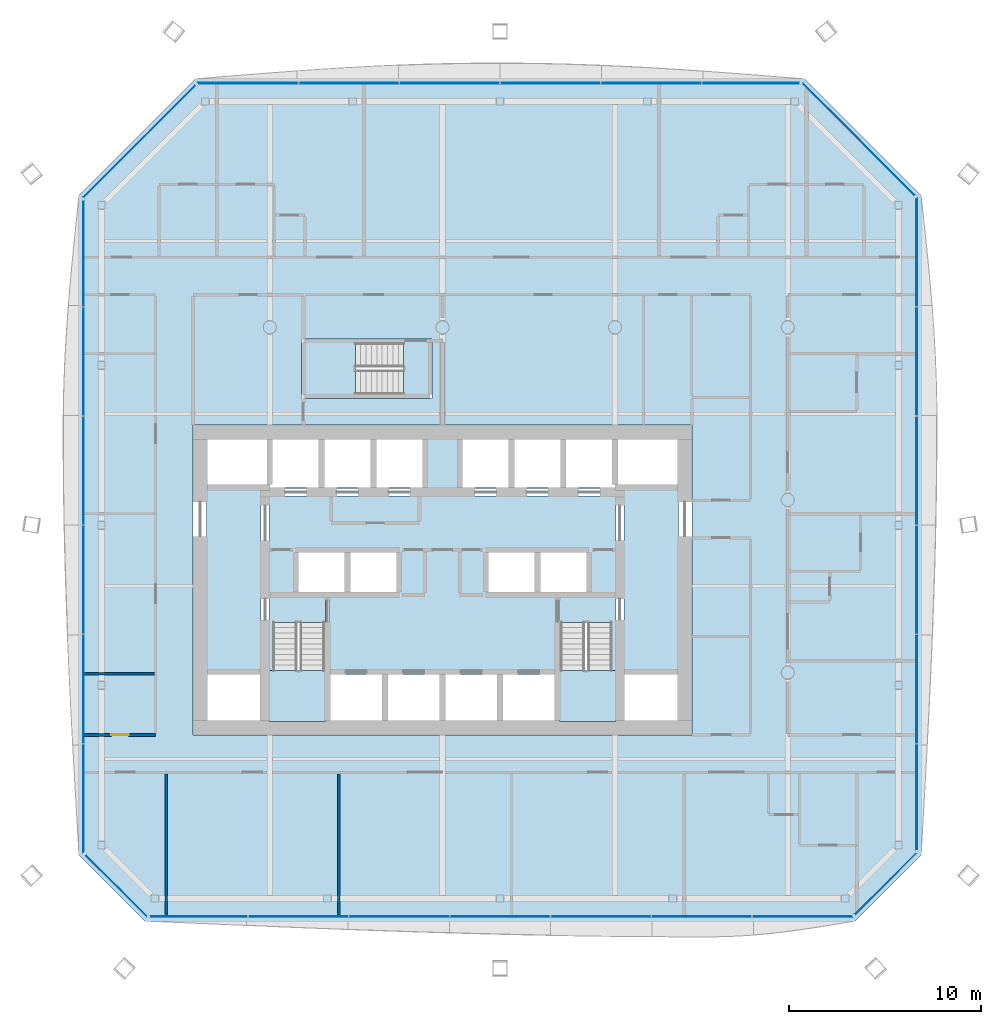
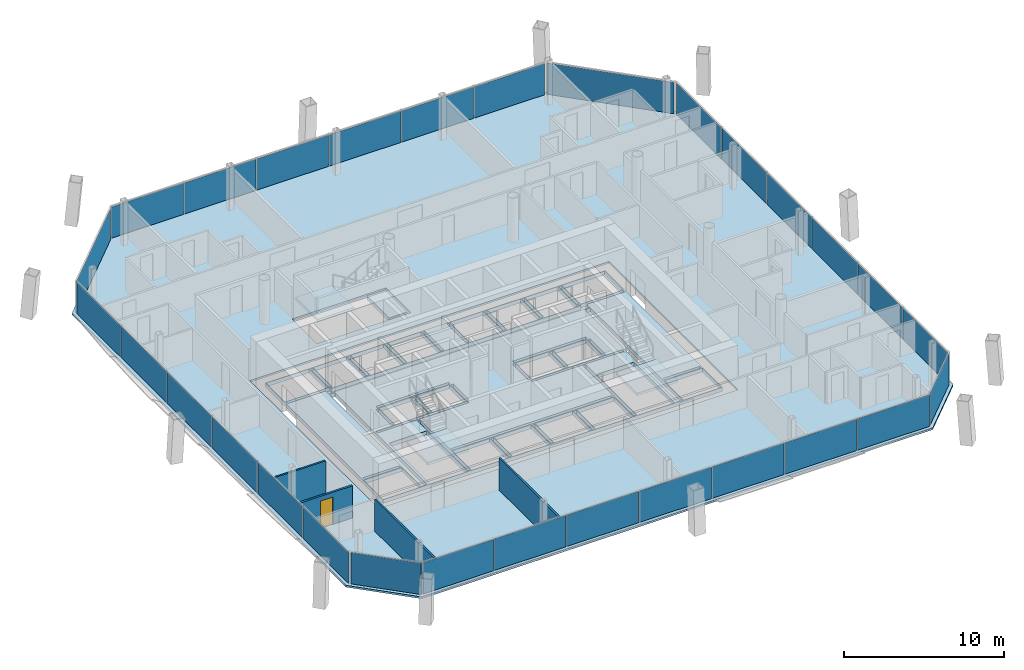
# One storey, part 10 of 17: 29 plates, 6 slabs, 4 walls, 1 door, 1 opening, 11 elements without a shape of their own.
"""IFC4 building model written with IfcOpenShell, lengths in metres."""

from ifc_helpers import new_model, si_unit, direction, frame, frame_2d, origin, origin_2d, place, context, subcontext, project, spatial, polyline, rectangle, outline, extrude, material, layer, layer_set, type_object, element, fill, aggregate, save


model = new_model("IFC4")

# Units and contexts
model_context = context("Model", 3, precision=1e-05, world=origin(), true_north=direction((0.0, 1.0)))
body_context = subcontext(model_context, "Body", "Model", "MODEL_VIEW")
ifc_project = project(units=[si_unit("LENGTHUNIT", "METRE"), si_unit("AREAUNIT", "SQUARE_METRE"), si_unit("VOLUMEUNIT", "CUBIC_METRE"), si_unit("PLANEANGLEUNIT", "RADIAN"), si_unit("MASSUNIT", "GRAM", prefix="KILO")], contexts=[model_context])

# Site, building, storey
site_placement = place(None, origin())
site = spatial("IfcSite", under=ifc_project, at=site_placement, CompositionType="ELEMENT")
building_placement = place(site_placement, origin())
building = spatial("IfcBuilding", under=site, at=building_placement, Name="Tskaro Facet Tower", CompositionType="ELEMENT")
storey_placement = place(building_placement, frame((0.0, 0.0, 158.89990234375)))
storey = spatial("IfcBuildingStorey", under=building, at=storey_placement, Name="L39", CompositionType="ELEMENT", Elevation=158.89990234375)

# Slab
ifc_material_1 = material(Name="Concrete C30/37", Category="concrete")
ifc_layer_1 = layer(ifc_material_1, 0.139892578125, Name="Concrete C30/37")
ifc_layer_set_1 = layer_set([ifc_layer_1], Name="Concrete C30/37")
slab_type_1 = type_object("IfcSlabType", Name="Composite deck floor slab", PredefinedType="FLOOR", material=ifc_layer_set_1)
slab_1_placement = place(storey_placement, frame((0.0, 0.0, -0.139892578125)))
element("IfcSlab", 1, at=slab_1_placement, inside=storey, type_object=slab_type_1, Name="Floor slab FS3 L39", PredefinedType="FLOOR", context=body_context, shape_type="SweptSolid", body=[
    extrude(outline(polyline([(-15.49609375, -21.97412109375), (21.49609375, -21.97412109375), (24.97412109375, -18.49609375), (24.97412109375, 15.864990234375), (18.864990234375, 21.97412109375), (-12.864990234375, 21.97412109375), (-18.97412109375, 15.864990234375), (-18.97412109375, -18.49609375), (-15.49609375, -21.97412109375)]), holes=[polyline([(-13.0, -12.25), (13.0, -12.25), (13.0, 3.89990234375), (-13.0, 3.89990234375), (-13.0, -12.25)]), polyline([(-7.35009765625, 5.300048828125), (-0.550048828125, 5.300048828125), (-0.550048828125, 8.39990234375), (-7.35009765625, 8.39990234375), (-7.35009765625, 5.300048828125)])]), origin(), (0.0, 0.0, 1.0), 0.139892578125),
])

# Curtain wall, plates
ifc_material_2 = material(Name="Bronze anodised aluminium 6063-T6", Category="aluminium")
curtain_wall_type = type_object("IfcCurtainWallType", Name="Bronze hotel curtain wall (FW2)", PredefinedType="NOTDEFINED", material=ifc_material_2)
curtain_wall_1_placement = place(storey_placement, origin())
curtain_wall_1 = element("IfcCurtainWall", 2, at=curtain_wall_1_placement, inside=storey, type_object=curtain_wall_type, Name="FW2 south facet L39", PredefinedType="NOTDEFINED")
ifc_material_3 = material(Name="Bronze solar control glass", Category="glass")
ifc_layer_2 = layer(ifc_material_3, 0.030029296875, Name="Bronze solar control glass")
ifc_layer_set_2 = layer_set([ifc_layer_2], Name="Bronze solar control glass")
plate_type = type_object("IfcPlateType", Name="FW2 bronze-tinted unit glazing 30", PredefinedType="CURTAIN_PANEL", material=ifc_layer_set_2)
plate_1_placement = place(storey_placement, frame((-12.70458984375, -21.72412109375, 0.0), z_axis=(0.0, 0.0, 1.0), x_axis=(1.0, 0.0, 0.0)))
plate_1 = element("IfcPlate", 3, at=plate_1_placement, type_object=plate_type, Name="FW2 south glazing 1.1", PredefinedType="CURTAIN_PANEL", context=body_context, shape_type="SweptSolid", body=[
    extrude(rectangle(XDim=5.074951171875, YDim=0.030029296875, at=origin_2d()), origin(), (0.0, 0.0, 1.0), 2.389892578125),
])
plate_2_placement = place(storey_placement, frame((-7.509765625, -21.72412109375, 0.0), z_axis=(0.0, 0.0, 1.0), x_axis=(1.0, 0.0, 0.0)))
plate_2 = element("IfcPlate", 4, at=plate_2_placement, type_object=plate_type, Name="FW2 south glazing 2.1", PredefinedType="CURTAIN_PANEL", context=body_context, shape_type="SweptSolid", body=[
    extrude(rectangle(XDim=5.19482421875, YDim=0.030029296875, at=origin_2d()), origin(), (0.0, 0.0, 1.0), 2.389892578125),
])
plate_3_placement = place(storey_placement, frame((-2.2548828125, -21.72412109375, 0.0), z_axis=(0.0, 0.0, 1.0), x_axis=(1.0, 0.0, 0.0)))
plate_3 = element("IfcPlate", 5, at=plate_3_placement, type_object=plate_type, Name="FW2 south glazing 3.1", PredefinedType="CURTAIN_PANEL", context=body_context, shape_type="SweptSolid", body=[
    extrude(rectangle(XDim=5.19482421875, YDim=0.030029296875, at=origin_2d()), origin(), (0.0, 0.0, 1.0), 2.389892578125),
])
plate_4_placement = place(storey_placement, frame((3.0, -21.72412109375, 0.0), z_axis=(0.0, 0.0, 1.0), x_axis=(1.0, 0.0, 0.0)))
plate_4 = element("IfcPlate", 6, at=plate_4_placement, type_object=plate_type, Name="FW2 south glazing 4.1", PredefinedType="CURTAIN_PANEL", context=body_context, shape_type="SweptSolid", body=[
    extrude(rectangle(XDim=5.19482421875, YDim=0.030029296875, at=origin_2d()), origin(), (0.0, 0.0, 1.0), 2.389892578125),
])
plate_5_placement = place(storey_placement, frame((8.2548828125, -21.72412109375, 0.0), z_axis=(0.0, 0.0, 1.0), x_axis=(1.0, 0.0, 0.0)))
plate_5 = element("IfcPlate", 7, at=plate_5_placement, type_object=plate_type, Name="FW2 south glazing 5.1", PredefinedType="CURTAIN_PANEL", context=body_context, shape_type="SweptSolid", body=[
    extrude(rectangle(XDim=5.19482421875, YDim=0.030029296875, at=origin_2d()), origin(), (0.0, 0.0, 1.0), 2.389892578125),
])
plate_6_placement = place(storey_placement, frame((13.509765625, -21.72412109375, 0.0), z_axis=(0.0, 0.0, 1.0), x_axis=(1.0, 0.0, 0.0)))
plate_6 = element("IfcPlate", 8, at=plate_6_placement, type_object=plate_type, Name="FW2 south glazing 6.1", PredefinedType="CURTAIN_PANEL", context=body_context, shape_type="SweptSolid", body=[
    extrude(rectangle(XDim=5.19482421875, YDim=0.030029296875, at=origin_2d()), origin(), (0.0, 0.0, 1.0), 2.389892578125),
])
plate_7_placement = place(storey_placement, frame((18.779541015625, -21.72412109375, 0.0), z_axis=(0.0, 0.0, 1.0), x_axis=(1.0, 0.0, 0.0)))
plate_7 = element("IfcPlate", 9, at=plate_7_placement, type_object=plate_type, Name="FW2 south glazing 7.1", PredefinedType="CURTAIN_PANEL", context=body_context, shape_type="SweptSolid", body=[
    extrude(rectangle(XDim=5.224853515625, YDim=0.030029296875, at=origin_2d()), origin(), (0.0, 0.0, 1.0), 2.389892578125),
])
aggregate(curtain_wall_1, [plate_1, plate_2, plate_3, plate_4, plate_5, plate_6, plate_7])

# Curtain wall, plate
curtain_wall_2_placement = place(storey_placement, origin())
curtain_wall_2 = element("IfcCurtainWall", 10, at=curtain_wall_2_placement, inside=storey, type_object=curtain_wall_type, Name="FW2 south-east facet L39", PredefinedType="NOTDEFINED")
plate_8_placement = place(storey_placement, frame((23.111083984375, -20.0048828125, 0.0), z_axis=(0.0, 0.0, 1.0), x_axis=(0.707106781187, 0.707106781187, 0.0)))
plate_8 = element("IfcPlate", 11, at=plate_8_placement, type_object=plate_type, Name="FW2 south-east glazing 1.1", PredefinedType="CURTAIN_PANEL", context=body_context, shape_type="SweptSolid", body=[
    extrude(rectangle(XDim=4.562255859375, YDim=0.030029296875, at=origin_2d()), origin(), (0.0, 0.0, 1.0), 2.389892578125),
])
aggregate(curtain_wall_2, [plate_8])

# Curtain wall, plates
curtain_wall_3_placement = place(storey_placement, origin())
curtain_wall_3 = element("IfcCurtainWall", 12, at=curtain_wall_3_placement, inside=storey, type_object=curtain_wall_type, Name="FW2 east facet L39", PredefinedType="NOTDEFINED")
plate_9_placement = place(storey_placement, frame((24.72412109375, -15.48583984375, 0.0), z_axis=(0.0, 0.0, 1.0), x_axis=(0.0, 1.0, 0.0)))
plate_9 = element("IfcPlate", 13, at=plate_9_placement, type_object=plate_type, Name="FW2 east glazing 1.1", PredefinedType="CURTAIN_PANEL", context=body_context, shape_type="SweptSolid", body=[
    extrude(rectangle(XDim=5.51220703125, YDim=0.030029296875, at=origin_2d()), origin(), (0.0, 0.0, 1.0), 2.389892578125),
])
plate_10_placement = place(storey_placement, frame((24.72412109375, -9.853759765625, 0.0), z_axis=(0.0, 0.0, 1.0), x_axis=(0.0, 1.0, 0.0)))
plate_10 = element("IfcPlate", 14, at=plate_10_placement, type_object=plate_type, Name="FW2 east glazing 2.1", PredefinedType="CURTAIN_PANEL", context=body_context, shape_type="SweptSolid", body=[
    extrude(rectangle(XDim=5.632080078125, YDim=0.030029296875, at=origin_2d()), origin(), (0.0, 0.0, 1.0), 2.389892578125),
])
plate_11_placement = place(storey_placement, frame((24.72412109375, -4.16162109375, 0.0), z_axis=(0.0, 0.0, 1.0), x_axis=(0.0, 1.0, 0.0)))
plate_11 = element("IfcPlate", 15, at=plate_11_placement, type_object=plate_type, Name="FW2 east glazing 3.1", PredefinedType="CURTAIN_PANEL", context=body_context, shape_type="SweptSolid", body=[
    extrude(rectangle(XDim=5.632080078125, YDim=0.030029296875, at=origin_2d()), origin(), (0.0, 0.0, 1.0), 2.389892578125),
])
plate_12_placement = place(storey_placement, frame((24.72412109375, 1.530517578125, 0.0), z_axis=(0.0, 0.0, 1.0), x_axis=(0.0, 1.0, 0.0)))
plate_12 = element("IfcPlate", 16, at=plate_12_placement, type_object=plate_type, Name="FW2 east glazing 4.1", PredefinedType="CURTAIN_PANEL", context=body_context, shape_type="SweptSolid", body=[
    extrude(rectangle(XDim=5.632080078125, YDim=0.030029296875, at=origin_2d()), origin(), (0.0, 0.0, 1.0), 2.389892578125),
])
plate_13_placement = place(storey_placement, frame((24.72412109375, 7.22265625, 0.0), z_axis=(0.0, 0.0, 1.0), x_axis=(0.0, 1.0, 0.0)))
plate_13 = element("IfcPlate", 17, at=plate_13_placement, type_object=plate_type, Name="FW2 east glazing 5.1", PredefinedType="CURTAIN_PANEL", context=body_context, shape_type="SweptSolid", body=[
    extrude(rectangle(XDim=5.632080078125, YDim=0.030029296875, at=origin_2d()), origin(), (0.0, 0.0, 1.0), 2.389892578125),
])
plate_14_placement = place(storey_placement, frame((24.72412109375, 12.929931640625, 0.0), z_axis=(0.0, 0.0, 1.0), x_axis=(0.0, 1.0, 0.0)))
plate_14 = element("IfcPlate", 18, at=plate_14_placement, type_object=plate_type, Name="FW2 east glazing 6.1", PredefinedType="CURTAIN_PANEL", context=body_context, shape_type="SweptSolid", body=[
    extrude(rectangle(XDim=5.662109375, YDim=0.030029296875, at=origin_2d()), origin(), (0.0, 0.0, 1.0), 2.389892578125),
])
aggregate(curtain_wall_3, [plate_9, plate_10, plate_11, plate_12, plate_13, plate_14])

# Curtain wall, plate
curtain_wall_4_placement = place(storey_placement, origin())
curtain_wall_4 = element("IfcCurtainWall", 19, at=curtain_wall_4_placement, inside=storey, type_object=curtain_wall_type, Name="FW2 north-east facet L39", PredefinedType="NOTDEFINED")
plate_15_placement = place(storey_placement, frame((21.689453125, 18.795654296875, 0.0), z_axis=(0.0, 0.0, 1.0), x_axis=(-0.707106781187, 0.707106781187, 0.0)))
plate_15 = element("IfcPlate", 20, at=plate_15_placement, type_object=plate_type, Name="FW2 north-east glazing 1.1", PredefinedType="CURTAIN_PANEL", context=body_context, shape_type="SweptSolid", body=[
    extrude(rectangle(XDim=8.282958984375, YDim=0.030029296875, at=origin_2d()), origin(), (0.0, 0.0, 1.0), 2.389892578125),
])
aggregate(curtain_wall_4, [plate_15])

# Curtain wall, plates
curtain_wall_5_placement = place(storey_placement, origin())
curtain_wall_5 = element("IfcCurtainWall", 21, at=curtain_wall_5_placement, inside=storey, type_object=curtain_wall_type, Name="FW2 north facet L39", PredefinedType="NOTDEFINED")
plate_16_placement = place(storey_placement, frame((16.07421875, 21.72412109375, 0.0), z_axis=(0.0, 0.0, 1.0), x_axis=(-1.0, 0.0, 0.0)))
plate_16 = element("IfcPlate", 22, at=plate_16_placement, type_object=plate_type, Name="FW2 north glazing 1.1", PredefinedType="CURTAIN_PANEL", context=body_context, shape_type="SweptSolid", body=[
    extrude(rectangle(XDim=5.07373046875, YDim=0.030029296875, at=origin_2d()), origin(), (0.0, 0.0, 1.0), 2.389892578125),
])
plate_17_placement = place(storey_placement, frame((10.880615234375, 21.72412109375, 0.0), z_axis=(0.0, 0.0, 1.0), x_axis=(-1.0, 0.0, 0.0)))
plate_17 = element("IfcPlate", 23, at=plate_17_placement, type_object=plate_type, Name="FW2 north glazing 2.1", PredefinedType="CURTAIN_PANEL", context=body_context, shape_type="SweptSolid", body=[
    extrude(rectangle(XDim=5.193603515625, YDim=0.030029296875, at=origin_2d()), origin(), (0.0, 0.0, 1.0), 2.389892578125),
])
plate_18_placement = place(storey_placement, frame((5.626953125, 21.72412109375, 0.0), z_axis=(0.0, 0.0, 1.0), x_axis=(-1.0, 0.0, 0.0)))
plate_18 = element("IfcPlate", 24, at=plate_18_placement, type_object=plate_type, Name="FW2 north glazing 3.1", PredefinedType="CURTAIN_PANEL", context=body_context, shape_type="SweptSolid", body=[
    extrude(rectangle(XDim=5.193603515625, YDim=0.030029296875, at=origin_2d()), origin(), (0.0, 0.0, 1.0), 2.389892578125),
])
plate_19_placement = place(storey_placement, frame((0.373046875, 21.72412109375, 0.0), z_axis=(0.0, 0.0, 1.0), x_axis=(-1.0, 0.0, 0.0)))
plate_19 = element("IfcPlate", 25, at=plate_19_placement, type_object=plate_type, Name="FW2 north glazing 4.1", PredefinedType="CURTAIN_PANEL", context=body_context, shape_type="SweptSolid", body=[
    extrude(rectangle(XDim=5.193603515625, YDim=0.030029296875, at=origin_2d()), origin(), (0.0, 0.0, 1.0), 2.389892578125),
])
plate_20_placement = place(storey_placement, frame((-4.880615234375, 21.72412109375, 0.0), z_axis=(0.0, 0.0, 1.0), x_axis=(-1.0, 0.0, 0.0)))
plate_20 = element("IfcPlate", 26, at=plate_20_placement, type_object=plate_type, Name="FW2 north glazing 5.1", PredefinedType="CURTAIN_PANEL", context=body_context, shape_type="SweptSolid", body=[
    extrude(rectangle(XDim=5.193603515625, YDim=0.030029296875, at=origin_2d()), origin(), (0.0, 0.0, 1.0), 2.389892578125),
])
plate_21_placement = place(storey_placement, frame((-10.149169921875, 21.72412109375, 0.0), z_axis=(0.0, 0.0, 1.0), x_axis=(-1.0, 0.0, 0.0)))
plate_21 = element("IfcPlate", 27, at=plate_21_placement, type_object=plate_type, Name="FW2 north glazing 6.1", PredefinedType="CURTAIN_PANEL", context=body_context, shape_type="SweptSolid", body=[
    extrude(rectangle(XDim=5.2236328125, YDim=0.030029296875, at=origin_2d()), origin(), (0.0, 0.0, 1.0), 2.389892578125),
])
aggregate(curtain_wall_5, [plate_16, plate_17, plate_18, plate_19, plate_20, plate_21])

# Curtain wall, plate
curtain_wall_6_placement = place(storey_placement, origin())
curtain_wall_6 = element("IfcCurtainWall", 28, at=curtain_wall_6_placement, inside=storey, type_object=curtain_wall_type, Name="FW2 north-west facet L39", PredefinedType="NOTDEFINED")
plate_22_placement = place(storey_placement, frame((-15.795654296875, 18.689453125, 0.0), z_axis=(0.0, 0.0, 1.0), x_axis=(-0.707106781187, -0.707106781187, 0.0)))
plate_22 = element("IfcPlate", 29, at=plate_22_placement, type_object=plate_type, Name="FW2 north-west glazing 1.1", PredefinedType="CURTAIN_PANEL", context=body_context, shape_type="SweptSolid", body=[
    extrude(rectangle(XDim=8.282958984375, YDim=0.030029296875, at=origin_2d()), origin(), (0.0, 0.0, 1.0), 2.389892578125),
])
aggregate(curtain_wall_6, [plate_22])

# Curtain wall, plates
curtain_wall_7_placement = place(storey_placement, origin())
curtain_wall_7 = element("IfcCurtainWall", 30, at=curtain_wall_7_placement, inside=storey, type_object=curtain_wall_type, Name="FW2 west facet L39", PredefinedType="NOTDEFINED")
plate_23_placement = place(storey_placement, frame((-18.72412109375, 12.85498046875, 0.0), z_axis=(0.0, 0.0, 1.0), x_axis=(0.0, -1.0, 0.0)))
plate_23 = element("IfcPlate", 31, at=plate_23_placement, type_object=plate_type, Name="FW2 west glazing 1.1", PredefinedType="CURTAIN_PANEL", context=body_context, shape_type="SweptSolid", body=[
    extrude(rectangle(XDim=5.51220703125, YDim=0.030029296875, at=origin_2d()), origin(), (0.0, 0.0, 1.0), 2.389892578125),
])
plate_24_placement = place(storey_placement, frame((-18.72412109375, 7.22265625, 0.0), z_axis=(0.0, 0.0, 1.0), x_axis=(0.0, -1.0, 0.0)))
plate_24 = element("IfcPlate", 32, at=plate_24_placement, type_object=plate_type, Name="FW2 west glazing 2.1", PredefinedType="CURTAIN_PANEL", context=body_context, shape_type="SweptSolid", body=[
    extrude(rectangle(XDim=5.632080078125, YDim=0.030029296875, at=origin_2d()), origin(), (0.0, 0.0, 1.0), 2.389892578125),
])
plate_25_placement = place(storey_placement, frame((-18.72412109375, 1.530517578125, 0.0), z_axis=(0.0, 0.0, 1.0), x_axis=(0.0, -1.0, 0.0)))
plate_25 = element("IfcPlate", 33, at=plate_25_placement, type_object=plate_type, Name="FW2 west glazing 3.1", PredefinedType="CURTAIN_PANEL", context=body_context, shape_type="SweptSolid", body=[
    extrude(rectangle(XDim=5.632080078125, YDim=0.030029296875, at=origin_2d()), origin(), (0.0, 0.0, 1.0), 2.389892578125),
])
plate_26_placement = place(storey_placement, frame((-18.72412109375, -4.16162109375, 0.0), z_axis=(0.0, 0.0, 1.0), x_axis=(0.0, -1.0, 0.0)))
plate_26 = element("IfcPlate", 34, at=plate_26_placement, type_object=plate_type, Name="FW2 west glazing 4.1", PredefinedType="CURTAIN_PANEL", context=body_context, shape_type="SweptSolid", body=[
    extrude(rectangle(XDim=5.632080078125, YDim=0.030029296875, at=origin_2d()), origin(), (0.0, 0.0, 1.0), 2.389892578125),
])
plate_27_placement = place(storey_placement, frame((-18.72412109375, -9.853759765625, 0.0), z_axis=(0.0, 0.0, 1.0), x_axis=(0.0, -1.0, 0.0)))
plate_27 = element("IfcPlate", 35, at=plate_27_placement, type_object=plate_type, Name="FW2 west glazing 5.1", PredefinedType="CURTAIN_PANEL", context=body_context, shape_type="SweptSolid", body=[
    extrude(rectangle(XDim=5.632080078125, YDim=0.030029296875, at=origin_2d()), origin(), (0.0, 0.0, 1.0), 2.389892578125),
])
plate_28_placement = place(storey_placement, frame((-18.72412109375, -15.56103515625, 0.0), z_axis=(0.0, 0.0, 1.0), x_axis=(0.0, -1.0, 0.0)))
plate_28 = element("IfcPlate", 36, at=plate_28_placement, type_object=plate_type, Name="FW2 west glazing 6.1", PredefinedType="CURTAIN_PANEL", context=body_context, shape_type="SweptSolid", body=[
    extrude(rectangle(XDim=5.662109375, YDim=0.030029296875, at=origin_2d()), origin(), (0.0, 0.0, 1.0), 2.389892578125),
])
aggregate(curtain_wall_7, [plate_23, plate_24, plate_25, plate_26, plate_27, plate_28])

# Curtain wall, plate
curtain_wall_8_placement = place(storey_placement, origin())
curtain_wall_8 = element("IfcCurtainWall", 37, at=curtain_wall_8_placement, inside=storey, type_object=curtain_wall_type, Name="FW2 south-west facet L39", PredefinedType="NOTDEFINED")
plate_29_placement = place(storey_placement, frame((-17.0048828125, -20.111083984375, 0.0), z_axis=(0.0, 0.0, 1.0), x_axis=(0.707106781187, -0.707106781187, 0.0)))
plate_29 = element("IfcPlate", 38, at=plate_29_placement, type_object=plate_type, Name="FW2 south-west glazing 1.1", PredefinedType="CURTAIN_PANEL", context=body_context, shape_type="SweptSolid", body=[
    extrude(rectangle(XDim=4.562255859375, YDim=0.030029296875, at=origin_2d()), origin(), (0.0, 0.0, 1.0), 2.389892578125),
])
aggregate(curtain_wall_8, [plate_29])

# Stair, slab
ifc_material_4 = material(Name="Concrete C40/50", Category="concrete")
stair_type = type_object("IfcStairType", Name="ST-TWR", PredefinedType="HALF_TURN_STAIR", material=ifc_material_4)
stair_1_placement = place(storey_placement, origin())
stair_1 = element("IfcStair", 39, at=stair_1_placement, inside=storey, type_object=stair_type, Name="L39 Exit stair 1", PredefinedType="HALF_TURN_STAIR")
ifc_layer_3 = layer(ifc_material_4, 0.199951171875, Name="Concrete C40/50")
ifc_layer_set_3 = layer_set([ifc_layer_3], Name="Concrete C40/50")
slab_type_2 = type_object("IfcSlabType", Name="SL-LANDING", PredefinedType="LANDING", material=ifc_layer_set_3)
slab_2_placement = place(storey_placement, frame((0.0, 0.0, 1.5)))
slab_2 = element("IfcSlab", 40, at=slab_2_placement, type_object=slab_type_2, Name="ST-1 landing 1", PredefinedType="LANDING", context=body_context, shape_type="SweptSolid", body=[
    extrude(outline(polyline([(-9.050048828125, -11.550048828125), (-6.10009765625, -11.550048828125), (-6.10009765625, -8.89501953125), (-9.050048828125, -8.89501953125), (-9.050048828125, -11.550048828125)])), origin(), (0.0, 0.0, 1.0), 0.2001953125),
])
aggregate(stair_1, [slab_2])

stair_2_placement = place(storey_placement, origin())
stair_2 = element("IfcStair", 41, at=stair_2_placement, inside=storey, type_object=stair_type, Name="L39 Exit stair 2", PredefinedType="HALF_TURN_STAIR")
slab_3_placement = place(storey_placement, frame((0.0, 0.0, 1.5)))
slab_3 = element("IfcSlab", 42, at=slab_3_placement, type_object=slab_type_2, Name="ST-2 landing 1", PredefinedType="LANDING", context=body_context, shape_type="SweptSolid", body=[
    extrude(outline(polyline([(6.10009765625, -11.550048828125), (9.050048828125, -11.550048828125), (9.050048828125, -8.89501953125), (6.10009765625, -8.89501953125), (6.10009765625, -11.550048828125)])), origin(), (0.0, 0.0, 1.0), 0.2001953125),
])
aggregate(stair_2, [slab_3])

stair_3_placement = place(storey_placement, origin())
stair_3 = element("IfcStair", 43, at=stair_3_placement, inside=storey, type_object=stair_type, Name="L39 Exit stair 3", PredefinedType="HALF_TURN_STAIR")
slab_4_placement = place(storey_placement, frame((0.0, 0.0, 1.5)))
slab_4 = element("IfcSlab", 44, at=slab_4_placement, type_object=slab_type_2, Name="ST-3 landing 1", PredefinedType="LANDING", context=body_context, shape_type="SweptSolid", body=[
    extrude(outline(polyline([(-7.199951171875, 5.449951171875), (-4.544921875, 5.449951171875), (-4.544921875, 8.25), (-7.199951171875, 8.25), (-7.199951171875, 5.449951171875)])), origin(), (0.0, 0.0, 1.0), 0.2001953125),
])
aggregate(stair_3, [slab_4])

# Slabs
ifc_material_5 = material(Name="Concrete C60/75", Category="concrete")
ifc_layer_4 = layer(ifc_material_5, 0.300048828125, Name="Concrete C60/75")
ifc_layer_set_4 = layer_set([ifc_layer_4], Name="Concrete C60/75")
slab_type_3 = type_object("IfcSlabType", Name="SLAB-CORE", PredefinedType="FLOOR", material=ifc_layer_set_4)
slab_5_placement = place(storey_placement, frame((0.0, 0.0, -0.2998046875)))
element("IfcSlab", 45, at=slab_5_placement, inside=storey, type_object=slab_type_3, Name="Core floor slab 1", PredefinedType="FLOOR", context=body_context, shape_type="SweptSolid", body=[
    extrude(outline(polyline([(-12.300048828125, 3.199951171875), (12.300048828125, 3.199951171875), (12.300048828125, 3.10009765625), (12.300048828125, -11.449951171875), (12.300048828125, -11.550048828125), (-12.300048828125, -11.550048828125), (-12.300048828125, -11.449951171875), (-12.300048828125, 3.10009765625), (-12.300048828125, 3.199951171875)]), holes=[polyline([(-5.85009765625, -9.10009765625), (-5.85009765625, -11.5), (-3.14990234375, -11.5), (-3.14990234375, -9.10009765625), (-5.85009765625, -9.10009765625)]), polyline([(-9.5, -11.5), (-9.5, -9.10009765625), (-12.25, -9.10009765625), (-12.25, -11.5), (-9.5, -11.5)]), polyline([(-12.199951171875, -8.85009765625), (-12.199951171875, -9.050048828125), (-9.550048828125, -9.050048828125), (-9.550048828125, -8.85009765625), (-12.199951171875, -8.85009765625)]), polyline([(-6.10009765625, -5.14990234375), (-6.10009765625, -11.449951171875), (-5.89990234375, -11.449951171875), (-5.89990234375, -5.14990234375), (-6.10009765625, -5.14990234375)]), polyline([(-9.449951171875, 0.10009765625), (-9.449951171875, -11.449951171875), (-9.050048828125, -11.449951171875), (-9.050048828125, 0.10009765625), (-9.449951171875, 0.10009765625)]), polyline([(-8.949951171875, -4.85009765625), (-8.949951171875, -5.050048828125), (-2.300048828125, -5.050048828125), (-2.300048828125, -4.85009765625), (-8.949951171875, -4.85009765625)]), polyline([(-7.75, -4.75), (-7.550048828125, -4.75), (-7.550048828125, -2.800048828125), (-7.75, -2.800048828125), (-7.75, -4.75)]), polyline([(-5.10009765625, -2.75), (-7.5, -2.75), (-7.5, -4.800048828125), (-5.10009765625, -4.800048828125), (-5.10009765625, -2.75)]), polyline([(-5.050048828125, -2.800048828125), (-5.050048828125, -4.75), (-4.85009765625, -4.75), (-4.85009765625, -2.800048828125), (-5.050048828125, -2.800048828125)]), polyline([(-7.60009765625, -2.5), (-7.60009765625, -2.699951171875), (-2.300048828125, -2.699951171875), (-2.300048828125, -2.5), (-7.60009765625, -2.5)]), polyline([(9.449951171875, 0.199951171875), (9.449951171875, 0.550048828125), (12.199951171875, 0.550048828125), (12.199951171875, 0.75), (9.050048828125, 0.75), (9.050048828125, 0.60009765625), (-9.050048828125, 0.60009765625), (-9.050048828125, 0.75), (-12.199951171875, 0.75), (-12.199951171875, 0.550048828125), (-9.449951171875, 0.550048828125), (-9.449951171875, 0.199951171875), (9.449951171875, 0.199951171875)]), polyline([(-8.85009765625, 3.14990234375), (-8.85009765625, 0.800048828125), (-9.0, 0.800048828125), (-9.0, 0.64990234375), (-6.449951171875, 0.64990234375), (-6.449951171875, 3.14990234375), (-8.85009765625, 3.14990234375)]), polyline([(-6.14990234375, 0.64990234375), (-3.75, 0.64990234375), (-3.75, 3.14990234375), (-6.14990234375, 3.14990234375), (-6.14990234375, 0.64990234375)]), polyline([(-6.39990234375, 0.699951171875), (-6.199951171875, 0.699951171875), (-6.199951171875, 3.10009765625), (-6.39990234375, 3.10009765625), (-6.39990234375, 0.699951171875)]), polyline([(-9.14990234375, 0.800048828125), (-9.14990234375, 3.14990234375), (-12.25, 3.14990234375), (-12.25, 0.800048828125), (-9.14990234375, 0.800048828125)]), polyline([(-9.10009765625, 3.10009765625), (-9.10009765625, 0.85009765625), (-8.89990234375, 0.85009765625), (-8.89990234375, 3.10009765625), (-9.10009765625, 3.10009765625)]), polyline([(2.89990234375, -9.14990234375), (2.89990234375, -11.449951171875), (3.10009765625, -11.449951171875), (3.10009765625, -9.14990234375), (2.89990234375, -9.14990234375)]), polyline([(0.14990234375, -9.10009765625), (0.14990234375, -11.5), (2.85009765625, -11.5), (2.85009765625, -9.10009765625), (0.14990234375, -9.10009765625)]), polyline([(-3.10009765625, -9.14990234375), (-3.10009765625, -11.449951171875), (-2.89990234375, -11.449951171875), (-2.89990234375, -9.14990234375), (-3.10009765625, -9.14990234375)]), polyline([(-0.10009765625, -9.14990234375), (-0.10009765625, -11.449951171875), (0.10009765625, -11.449951171875), (0.10009765625, -9.14990234375), (-0.10009765625, -9.14990234375)]), polyline([(-0.14990234375, -9.10009765625), (-2.85009765625, -9.10009765625), (-2.85009765625, -11.5), (-0.14990234375, -11.5), (-0.14990234375, -9.10009765625)]), polyline([(-5.800048828125, -8.85009765625), (-5.800048828125, -9.050048828125), (5.800048828125, -9.050048828125), (5.800048828125, -8.85009765625), (-5.800048828125, -8.85009765625)]), polyline([(-2.35009765625, -2.800048828125), (-2.35009765625, -4.75), (-2.14990234375, -4.75), (-2.14990234375, -2.800048828125), (-2.35009765625, -2.800048828125)]), polyline([(-4.800048828125, -2.75), (-4.800048828125, -4.800048828125), (-2.39990234375, -4.800048828125), (-2.39990234375, -2.75), (-4.800048828125, -2.75)]), polyline([(2.14990234375, -4.75), (2.35009765625, -4.75), (2.35009765625, -2.800048828125), (2.14990234375, -2.800048828125), (2.14990234375, -4.75)]), polyline([(-3.449951171875, 0.64990234375), (-1.050048828125, 0.64990234375), (-1.050048828125, 3.14990234375), (-3.449951171875, 3.14990234375), (-3.449951171875, 0.64990234375)]), polyline([(1.050048828125, 0.64990234375), (3.449951171875, 0.64990234375), (3.449951171875, 3.14990234375), (1.050048828125, 3.14990234375), (1.050048828125, 0.64990234375)]), polyline([(-1.0, 3.10009765625), (-1.0, 0.699951171875), (-0.800048828125, 0.699951171875), (-0.800048828125, 3.10009765625), (-1.0, 3.10009765625)]), polyline([(0.800048828125, 3.10009765625), (0.800048828125, 0.699951171875), (1.0, 0.699951171875), (1.0, 3.10009765625), (0.800048828125, 3.10009765625)]), polyline([(-3.699951171875, 3.10009765625), (-3.699951171875, 0.699951171875), (-3.5, 0.699951171875), (-3.5, 3.10009765625), (-3.699951171875, 3.10009765625)]), polyline([(5.85009765625, -9.10009765625), (3.14990234375, -9.10009765625), (3.14990234375, -11.5), (5.85009765625, -11.5), (5.85009765625, -9.10009765625)]), polyline([(12.25, -11.5), (12.25, -9.10009765625), (9.5, -9.10009765625), (9.5, -11.5), (12.25, -11.5)]), polyline([(9.550048828125, -8.85009765625), (9.550048828125, -9.050048828125), (12.199951171875, -9.050048828125), (12.199951171875, -8.85009765625), (9.550048828125, -8.85009765625)]), polyline([(5.89990234375, -5.14990234375), (5.89990234375, -11.449951171875), (6.10009765625, -11.449951171875), (6.10009765625, -5.14990234375), (5.89990234375, -5.14990234375)]), polyline([(9.050048828125, -11.449951171875), (9.449951171875, -11.449951171875), (9.449951171875, 0.10009765625), (9.050048828125, 0.10009765625), (9.050048828125, -11.449951171875)]), polyline([(2.300048828125, -4.85009765625), (2.300048828125, -5.050048828125), (8.949951171875, -5.050048828125), (8.949951171875, -4.85009765625), (2.300048828125, -4.85009765625)]), polyline([(4.85009765625, -2.800048828125), (4.85009765625, -4.75), (5.050048828125, -4.75), (5.050048828125, -2.800048828125), (4.85009765625, -2.800048828125)]), polyline([(5.10009765625, -2.75), (5.10009765625, -4.800048828125), (7.5, -4.800048828125), (7.5, -2.75), (5.10009765625, -2.75)]), polyline([(4.800048828125, -4.800048828125), (4.800048828125, -2.75), (2.39990234375, -2.75), (2.39990234375, -4.800048828125), (4.800048828125, -4.800048828125)]), polyline([(7.550048828125, -2.800048828125), (7.550048828125, -4.75), (7.75, -4.75), (7.75, -2.800048828125), (7.550048828125, -2.800048828125)]), polyline([(2.300048828125, -2.5), (2.300048828125, -2.699951171875), (7.60009765625, -2.699951171875), (7.60009765625, -2.5), (2.300048828125, -2.5)]), polyline([(3.75, 0.64990234375), (6.14990234375, 0.64990234375), (6.14990234375, 3.14990234375), (3.75, 3.14990234375), (3.75, 0.64990234375)]), polyline([(9.0, 0.800048828125), (8.85009765625, 0.800048828125), (8.85009765625, 3.14990234375), (6.449951171875, 3.14990234375), (6.449951171875, 0.64990234375), (9.0, 0.64990234375), (9.0, 0.800048828125)]), polyline([(6.199951171875, 3.10009765625), (6.199951171875, 0.699951171875), (6.39990234375, 0.699951171875), (6.39990234375, 3.10009765625), (6.199951171875, 3.10009765625)]), polyline([(3.5, 3.10009765625), (3.5, 0.699951171875), (3.699951171875, 0.699951171875), (3.699951171875, 3.10009765625), (3.5, 3.10009765625)]), polyline([(9.14990234375, 0.800048828125), (12.25, 0.800048828125), (12.25, 3.14990234375), (9.14990234375, 3.14990234375), (9.14990234375, 0.800048828125)]), polyline([(8.89990234375, 3.10009765625), (8.89990234375, 0.85009765625), (9.10009765625, 0.85009765625), (9.10009765625, 3.10009765625), (8.89990234375, 3.10009765625)]), polyline([(-8.85009765625, -11.5), (-6.14990234375, -11.5), (-6.14990234375, -6.39501953125), (-8.85009765625, -6.39501953125), (-8.85009765625, -11.5)]), polyline([(6.14990234375, -6.39501953125), (6.14990234375, -11.5), (8.85009765625, -11.5), (8.85009765625, -6.39501953125), (6.14990234375, -6.39501953125)])]), origin(), (0.0, 0.0, 1.0), 0.2998046875),
])
slab_6_placement = place(storey_placement, frame((0.0, 0.0, -0.2998046875)))
element("IfcSlab", 46, at=slab_6_placement, inside=storey, type_object=slab_type_3, Name="Stair 3 floor landing 1", PredefinedType="FLOOR", context=body_context, shape_type="SweptSolid", body=[
    extrude(outline(polyline([(-2.02490234375, 5.449951171875), (-0.699951171875, 5.449951171875), (-0.699951171875, 8.25), (-2.02490234375, 8.25), (-2.02490234375, 5.449951171875)])), origin(), (0.0, 0.0, 1.0), 0.2998046875),
])

# Walls
ifc_material_6 = material(Name="Gypsum board on steel studs", Category="steel")
ifc_layer_5 = layer(ifc_material_6, 0.125, Name="Gypsum board on steel studs")
ifc_layer_set_5 = layer_set([ifc_layer_5], Name="Gypsum board on steel studs")
wall_type_1 = type_object("IfcWallType", Name="PART", PredefinedType="PARTITIONING", material=ifc_layer_set_5)
wall_1_placement = place(storey_placement, frame((-18.674072265625, -9.056884765625, 0.0), z_axis=(0.0, 0.0, 1.0), x_axis=(1.0, 0.0, 0.0)))
element("IfcWall", 47, at=wall_1_placement, inside=storey, type_object=wall_type_1, Name="Partition W007", PredefinedType="PARTITIONING", context=body_context, shape_type="SweptSolid", body=[
    extrude(rectangle(XDim=3.649169921875, YDim=0.125, at=frame_2d((1.82470703125, 0.0))), origin(), (0.0, 0.0, 1.0), 2.460205078125),
])
for number, where, z_axis, x_axis, name in (
    (48, (-14.39892578125, -21.674072265625, 0.0), (0.0, 0.0, 1.0), (0.0, 1.0, 0.0), "Partition W050"),
    (49, (-5.39990234375, -21.674072265625, 0.0), (0.0, 0.0, 1.0), (0.0, 1.0, 0.0), "Partition W063"),
):
    element("IfcWall", number, at=place(storey_placement, frame(where, z_axis=z_axis, x_axis=x_axis)), inside=storey, type_object=wall_type_1, Name=name, PredefinedType="PARTITIONING", context=body_context, shape_type="SweptSolid", body=[
        extrude(rectangle(XDim=7.399169921875, YDim=0.125, at=frame_2d((3.69970703125, 0.0))), origin(), (0.0, 0.0, 1.0), 2.460205078125),
    ])

# Wall, opening, door
ifc_layer_6 = layer(ifc_material_6, 0.14990234375, Name="Gypsum board on steel studs")
ifc_layer_set_6 = layer_set([ifc_layer_6], Name="Gypsum board on steel studs")
wall_type_2 = type_object("IfcWallType", Name="PART-CORR", PredefinedType="PARTITIONING", material=ifc_layer_set_6)
wall_2_placement = place(storey_placement, frame((-18.674072265625, -12.25, 0.0), z_axis=(0.0, 0.0, 1.0), x_axis=(1.0, 0.0, 0.0)))
wall_2 = element("IfcWall", 50, at=wall_2_placement, inside=storey, type_object=wall_type_2, Name="Corridor wall W004", PredefinedType="PARTITIONING", context=body_context, shape_type="SweptSolid", body=[
    extrude(rectangle(XDim=3.72412109375, YDim=0.14990234375, at=frame_2d((1.862060546875, 0.0))), origin(), (0.0, 0.0, 1.0), 2.460205078125),
])
opening_placement = place(wall_2_placement, frame((1.412109375, 0.0, 0.0)))
opening = element("IfcOpeningElement", 51, at=opening_placement, cuts=wall_2, Name="Opening T11p-D09", PredefinedType="OPENING", context=body_context, shape_type="SweptSolid", body=[
    extrude(rectangle(XDim=0.89990234375, YDim=2.10009765625, at=frame_2d((0.449951171875, 1.050048828125))), frame((0.0, 0.0849609375, 0.0), z_axis=(0.0, -1.0, 0.0), x_axis=(1.0, 0.0, 0.0)), (0.0, 0.0, 1.0), 0.169921875),
])
ifc_material_7 = material(Name="Timber", Category="wood")
door_type = type_object("IfcDoorType", Name="D-ROOM", OperationType="NOTDEFINED", PredefinedType="DOOR", material=ifc_material_7)
door_placement = place(opening_placement, origin())
door = element("IfcDoor", 52, at=door_placement, inside=storey, type_object=door_type, Name="Door T11p-D09", OperationType="SINGLE_SWING_LEFT", OverallHeight=2.10009765625, OverallWidth=0.89990234375, PredefinedType="DOOR", context=body_context, shape_type="SweptSolid", body=[
    extrude(rectangle(XDim=0.89990234375, YDim=2.10009765625, at=frame_2d((0.449951171875, 1.050048828125))), frame((0.0, 0.02490234375, 0.0), z_axis=(0.0, -1.0, 0.0), x_axis=(1.0, 0.0, 0.0)), (0.0, 0.0, 1.0), 0.050048828125),
])
fill(opening, door)

save(model, "model.ifc")
